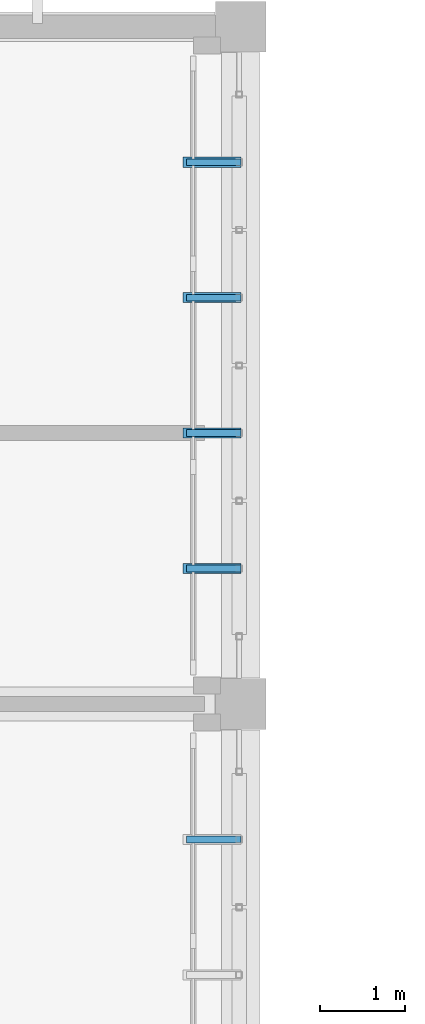
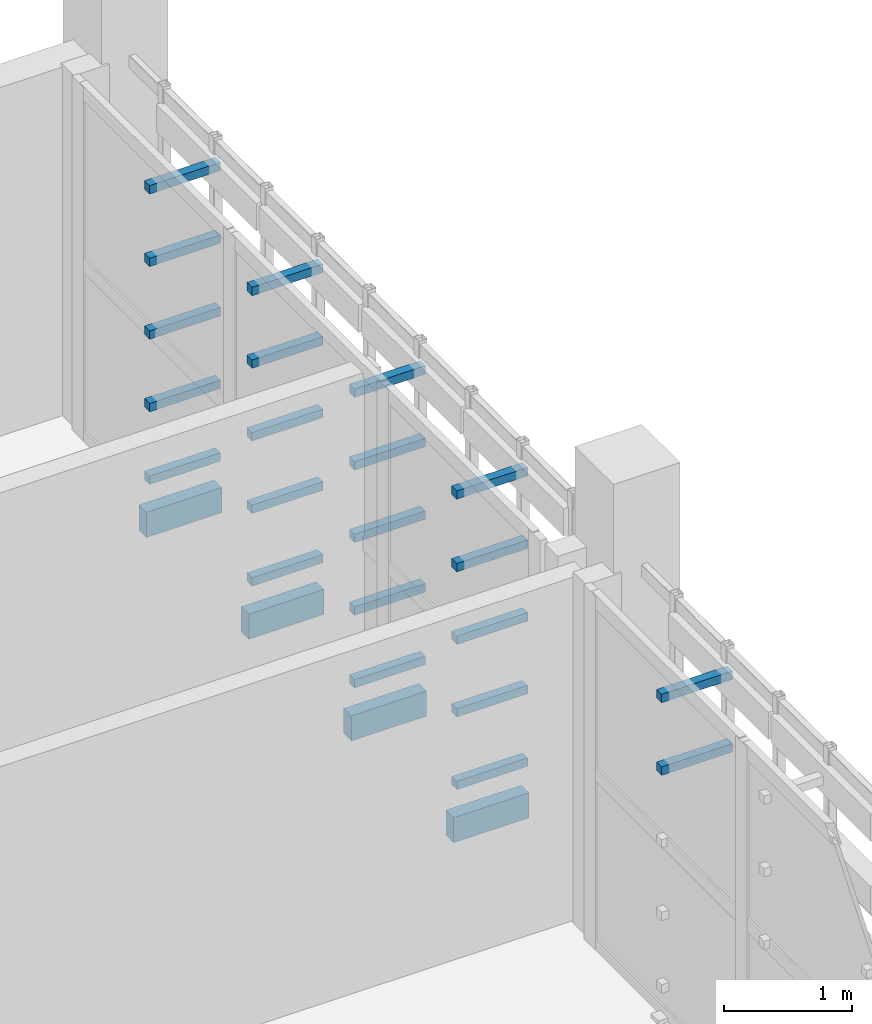
# One storey, part 127 of 137: 26 discrete accessories.
"""IFC4 building model written with IfcOpenShell, lengths in metres."""

from ifc_helpers import new_model, si_unit, direction, frame, origin, origin_2d, place, context, subcontext, project, spatial, rectangle, extrude, material, type_object, element, save


model = new_model("IFC4")

# Units and contexts
model_context = context("Model", 3, precision=1e-05, world=origin(), true_north=direction((0.0, 1.0)))
body_context = subcontext(model_context, "Body", "Model", "MODEL_VIEW")
ifc_project = project(units=[si_unit("LENGTHUNIT", "METRE"), si_unit("AREAUNIT", "SQUARE_METRE"), si_unit("VOLUMEUNIT", "CUBIC_METRE"), si_unit("PLANEANGLEUNIT", "RADIAN"), si_unit("MASSUNIT", "GRAM", prefix="KILO")], contexts=[model_context])

# Site, building, storey
site_placement = place(None, origin())
site = spatial("IfcSite", under=ifc_project, at=site_placement, CompositionType="ELEMENT")
building_placement = place(site_placement, origin())
building = spatial("IfcBuilding", under=site, at=building_placement, Name="Jelvoka-Kovrelna Polytechnic", CompositionType="ELEMENT")
storey_placement = place(building_placement, frame((0.0, 0.0, 9.60009765625)))
storey = spatial("IfcBuildingStorey", under=building, at=storey_placement, Name="L03", CompositionType="ELEMENT", Elevation=9.60009765625)

# Discrete accessories
ifc_material = material(Name="Structural steel S355JR", Category="steel")
discrete_accessory_type = type_object("IfcDiscreteAccessoryType", Name="Bracket_Outrigger_S355", PredefinedType="BRACKET", material=ifc_material)
for number, where, z_axis, x_axis, name in (
    (1, (191.679931640625, 62.39990234375, 2.357421875), (0.0, 0.0, 1.0), (1.0, 0.0, 0.0), "L03 screen outrigger tie bracket BRKM-PLT-SCR-1059"),
    (2, (191.679931640625, 62.39990234375, 3.0498046875), (0.0, 0.0, 1.0), (1.0, 0.0, 0.0), "L03 screen outrigger tie bracket BRKM-PLT-SCR-1060"),
    (3, (191.679931640625, 65.60009765625, 0.27978515625), (0.0, 0.0, 1.0), (1.0, 0.0, 0.0), "L03 screen outrigger tie bracket BRKM-PLT-SCR-1061"),
):
    element("IfcDiscreteAccessory", number, at=place(storey_placement, frame(where, z_axis=z_axis, x_axis=x_axis)), inside=storey, type_object=discrete_accessory_type, Name=name, PredefinedType="BRACKET", context=body_context, shape_type="SweptSolid", body=[
        extrude(rectangle(XDim=0.639892578125, YDim=0.080078125, at=origin_2d()), origin(), (0.0, 0.0, 1.0), 0.080078125),
    ])
discrete_accessory_1_placement = place(storey_placement, frame((191.659912109375, 65.60009765625, -0.199951171875), z_axis=(0.0, 0.0, 1.0), x_axis=(1.0, 0.0, 0.0)))
element("IfcDiscreteAccessory", 4, at=discrete_accessory_1_placement, inside=storey, type_object=discrete_accessory_type, Name="L03 screen outrigger tie bracket BRK-PLT-SCR-1061", PredefinedType="BRACKET", context=body_context, shape_type="SweptSolid", body=[
    extrude(rectangle(XDim=0.679931640625, YDim=0.1201171875, at=origin_2d()), origin(), (0.0, 0.0, 1.0), 0.239990234375),
])
for number, where, z_axis, x_axis, name in (
    (5, (191.679931640625, 65.60009765625, 0.972412109375), (0.0, 0.0, 1.0), (1.0, 0.0, 0.0), "L03 screen outrigger tie bracket BRKM-PLT-SCR-1062"),
    (6, (191.679931640625, 65.60009765625, 1.664794921875), (0.0, 0.0, 1.0), (1.0, 0.0, 0.0), "L03 screen outrigger tie bracket BRKM-PLT-SCR-1063"),
    (7, (191.679931640625, 65.60009765625, 2.357421875), (0.0, 0.0, 1.0), (1.0, 0.0, 0.0), "L03 screen outrigger tie bracket BRKM-PLT-SCR-1064"),
    (8, (191.679931640625, 65.60009765625, 3.0498046875), (0.0, 0.0, 1.0), (1.0, 0.0, 0.0), "L03 screen outrigger tie bracket BRKM-PLT-SCR-1065"),
    (9, (191.679931640625, 67.199951171875, 0.27978515625), (0.0, 0.0, 1.0), (1.0, 0.0, 0.0), "L03 screen outrigger tie bracket BRKM-PLT-SCR-1066"),
):
    element("IfcDiscreteAccessory", number, at=place(storey_placement, frame(where, z_axis=z_axis, x_axis=x_axis)), inside=storey, type_object=discrete_accessory_type, Name=name, PredefinedType="BRACKET", context=body_context, shape_type="SweptSolid", body=[
        extrude(rectangle(XDim=0.639892578125, YDim=0.080078125, at=origin_2d()), origin(), (0.0, 0.0, 1.0), 0.080078125),
    ])
discrete_accessory_2_placement = place(storey_placement, frame((191.659912109375, 67.199951171875, -0.199951171875), z_axis=(0.0, 0.0, 1.0), x_axis=(1.0, 0.0, 0.0)))
element("IfcDiscreteAccessory", 10, at=discrete_accessory_2_placement, inside=storey, type_object=discrete_accessory_type, Name="L03 screen outrigger tie bracket BRK-PLT-SCR-1066", PredefinedType="BRACKET", context=body_context, shape_type="SweptSolid", body=[
    extrude(rectangle(XDim=0.679931640625, YDim=0.1201171875, at=origin_2d()), origin(), (0.0, 0.0, 1.0), 0.239990234375),
])
for number, where, z_axis, x_axis, name in (
    (11, (191.679931640625, 67.199951171875, 0.972412109375), (0.0, 0.0, 1.0), (1.0, 0.0, 0.0), "L03 screen outrigger tie bracket BRKM-PLT-SCR-1067"),
    (12, (191.679931640625, 67.199951171875, 1.664794921875), (0.0, 0.0, 1.0), (1.0, 0.0, 0.0), "L03 screen outrigger tie bracket BRKM-PLT-SCR-1068"),
    (13, (191.679931640625, 67.199951171875, 2.357421875), (0.0, 0.0, 1.0), (1.0, 0.0, 0.0), "L03 screen outrigger tie bracket BRKM-PLT-SCR-1069"),
    (14, (191.679931640625, 67.199951171875, 3.0498046875), (0.0, 0.0, 1.0), (1.0, 0.0, 0.0), "L03 screen outrigger tie bracket BRKM-PLT-SCR-1070"),
    (15, (191.679931640625, 68.800048828125, 0.27978515625), (0.0, 0.0, 1.0), (1.0, 0.0, 0.0), "L03 screen outrigger tie bracket BRKM-PLT-SCR-1071"),
):
    element("IfcDiscreteAccessory", number, at=place(storey_placement, frame(where, z_axis=z_axis, x_axis=x_axis)), inside=storey, type_object=discrete_accessory_type, Name=name, PredefinedType="BRACKET", context=body_context, shape_type="SweptSolid", body=[
        extrude(rectangle(XDim=0.639892578125, YDim=0.080078125, at=origin_2d()), origin(), (0.0, 0.0, 1.0), 0.080078125),
    ])
discrete_accessory_3_placement = place(storey_placement, frame((191.659912109375, 68.800048828125, -0.199951171875), z_axis=(0.0, 0.0, 1.0), x_axis=(1.0, 0.0, 0.0)))
element("IfcDiscreteAccessory", 16, at=discrete_accessory_3_placement, inside=storey, type_object=discrete_accessory_type, Name="L03 screen outrigger tie bracket BRK-PLT-SCR-1071", PredefinedType="BRACKET", context=body_context, shape_type="SweptSolid", body=[
    extrude(rectangle(XDim=0.679931640625, YDim=0.1201171875, at=origin_2d()), origin(), (0.0, 0.0, 1.0), 0.239990234375),
])
for number, where, z_axis, x_axis, name in (
    (17, (191.679931640625, 68.800048828125, 0.972412109375), (0.0, 0.0, 1.0), (1.0, 0.0, 0.0), "L03 screen outrigger tie bracket BRKM-PLT-SCR-1072"),
    (18, (191.679931640625, 68.800048828125, 1.664794921875), (0.0, 0.0, 1.0), (1.0, 0.0, 0.0), "L03 screen outrigger tie bracket BRKM-PLT-SCR-1073"),
    (19, (191.679931640625, 68.800048828125, 2.357421875), (0.0, 0.0, 1.0), (1.0, 0.0, 0.0), "L03 screen outrigger tie bracket BRKM-PLT-SCR-1074"),
    (20, (191.679931640625, 68.800048828125, 3.0498046875), (0.0, 0.0, 1.0), (1.0, 0.0, 0.0), "L03 screen outrigger tie bracket BRKM-PLT-SCR-1075"),
    (21, (191.679931640625, 70.39990234375, 0.27978515625), (0.0, 0.0, 1.0), (1.0, 0.0, 0.0), "L03 screen outrigger tie bracket BRKM-PLT-SCR-1076"),
):
    element("IfcDiscreteAccessory", number, at=place(storey_placement, frame(where, z_axis=z_axis, x_axis=x_axis)), inside=storey, type_object=discrete_accessory_type, Name=name, PredefinedType="BRACKET", context=body_context, shape_type="SweptSolid", body=[
        extrude(rectangle(XDim=0.639892578125, YDim=0.080078125, at=origin_2d()), origin(), (0.0, 0.0, 1.0), 0.080078125),
    ])
discrete_accessory_4_placement = place(storey_placement, frame((191.659912109375, 70.39990234375, -0.199951171875), z_axis=(0.0, 0.0, 1.0), x_axis=(1.0, 0.0, 0.0)))
element("IfcDiscreteAccessory", 22, at=discrete_accessory_4_placement, inside=storey, type_object=discrete_accessory_type, Name="L03 screen outrigger tie bracket BRK-PLT-SCR-1076", PredefinedType="BRACKET", context=body_context, shape_type="SweptSolid", body=[
    extrude(rectangle(XDim=0.679931640625, YDim=0.1201171875, at=origin_2d()), origin(), (0.0, 0.0, 1.0), 0.239990234375),
])
for number, where, z_axis, x_axis, name in (
    (23, (191.679931640625, 70.39990234375, 0.972412109375), (0.0, 0.0, 1.0), (1.0, 0.0, 0.0), "L03 screen outrigger tie bracket BRKM-PLT-SCR-1077"),
    (24, (191.679931640625, 70.39990234375, 1.664794921875), (0.0, 0.0, 1.0), (1.0, 0.0, 0.0), "L03 screen outrigger tie bracket BRKM-PLT-SCR-1078"),
    (25, (191.679931640625, 70.39990234375, 2.357421875), (0.0, 0.0, 1.0), (1.0, 0.0, 0.0), "L03 screen outrigger tie bracket BRKM-PLT-SCR-1079"),
    (26, (191.679931640625, 70.39990234375, 3.0498046875), (0.0, 0.0, 1.0), (1.0, 0.0, 0.0), "L03 screen outrigger tie bracket BRKM-PLT-SCR-1080"),
):
    element("IfcDiscreteAccessory", number, at=place(storey_placement, frame(where, z_axis=z_axis, x_axis=x_axis)), inside=storey, type_object=discrete_accessory_type, Name=name, PredefinedType="BRACKET", context=body_context, shape_type="SweptSolid", body=[
        extrude(rectangle(XDim=0.639892578125, YDim=0.080078125, at=origin_2d()), origin(), (0.0, 0.0, 1.0), 0.080078125),
    ])

save(model, "model.ifc")
